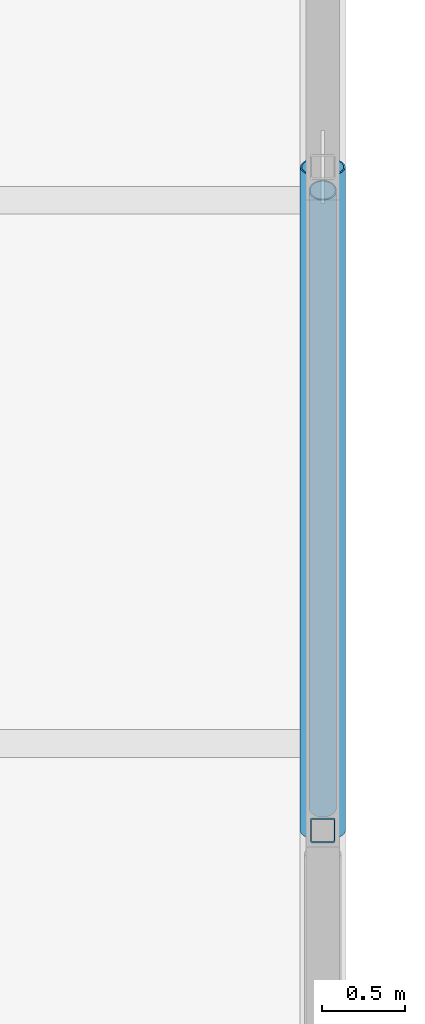
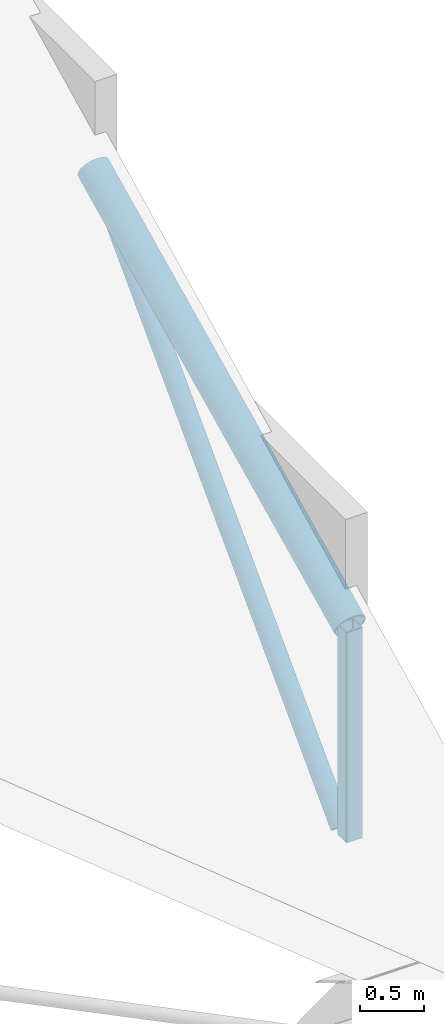
# One storey, part 87 of 137: 3 members.
"""IFC4 building model written with IfcOpenShell, lengths in metres."""

from ifc_helpers import new_model, si_unit, direction, frame, origin, origin_2d, place, context, subcontext, project, spatial, hollow_rectangle, hollow_circle, extrude, material, material_profile, profile_set, type_object, element, save


model = new_model("IFC4")

# Units and contexts
model_context = context("Model", 3, precision=1e-05, world=origin(), true_north=direction((0.0, 1.0)))
body_context = subcontext(model_context, "Body", "Model", "MODEL_VIEW")
ifc_project = project(units=[si_unit("LENGTHUNIT", "METRE"), si_unit("AREAUNIT", "SQUARE_METRE"), si_unit("VOLUMEUNIT", "CUBIC_METRE"), si_unit("PLANEANGLEUNIT", "RADIAN"), si_unit("MASSUNIT", "GRAM", prefix="KILO")], contexts=[model_context])

# Site, building, storey
site_placement = place(None, origin())
site = spatial("IfcSite", under=ifc_project, at=site_placement, CompositionType="ELEMENT")
building_placement = place(site_placement, origin())
building = spatial("IfcBuilding", under=site, at=building_placement, Name="Jelvoka-Kovrelna Polytechnic", CompositionType="ELEMENT")
storey_placement = place(building_placement, frame((0.0, 0.0, 9.60009765625)))
storey = spatial("IfcBuildingStorey", under=building, at=storey_placement, Name="L03", CompositionType="ELEMENT", Elevation=9.60009765625)

# Members
ifc_material_1 = material(Name="Structural steel S355J2H", Category="steel")
ifc_material_profile_1 = material_profile(ifc_material_1, hollow_circle(Radius=0.084228515625, WallThickness=0.008056640625, at=origin_2d()), Name="168.3x8.0 CHS")
ifc_profile_set_1 = profile_set([ifc_material_profile_1], Name="Structural steel S355J2H")
member_type_1 = type_object("IfcMemberType", Name="Member_Brace_CHS168", PredefinedType="BRACE", material=ifc_profile_set_1)
member_1_placement = place(storey_placement, frame((200.0, 108.139892578125, 0.14990234375), z_axis=(0.0, 0.69521468222, 0.718802160282), x_axis=(-1.0, 0.0, 0.0)))
element("IfcMember", 1, at=member_1_placement, inside=storey, type_object=member_type_1, Name="Sawtooth truss 8 diagonal web 2.2", PredefinedType="BRACE", context=body_context, shape_type="SweptSolid", body=[
    extrude(hollow_circle(Radius=0.084228515625, WallThickness=0.008056640625, at=origin_2d()), origin(), (0.0, 0.0, 1.0), 5.35107421875),
])
ifc_material_2 = material(Name="Structural steel S355J2H", Category="steel")
ifc_material_profile_2 = material_profile(ifc_material_2, hollow_circle(Radius=0.136474609375, WallThickness=0.010009765625, at=origin_2d()), Name="273.0x10.0 CHS")
ifc_profile_set_2 = profile_set([ifc_material_profile_2], Name="Structural steel S355J2H")
member_type_2 = type_object("IfcMemberType", Name="Member_Chord_CHS273", PredefinedType="CHORD", material=ifc_profile_set_2)
member_2_placement = place(storey_placement, frame((200.0, 108.0, 2.148193359375), z_axis=(0.0, 0.900799405566, 0.434235455637), x_axis=(-1.0, 0.0, 0.0)))
element("IfcMember", 2, at=member_2_placement, inside=storey, type_object=member_type_2, Name="Sawtooth truss 8 top chord 2.2", PredefinedType="CHORD", context=body_context, shape_type="SweptSolid", body=[
    extrude(hollow_circle(Radius=0.136474609375, WallThickness=0.010009765625, at=origin_2d()), origin(), (0.0, 0.0, 1.0), 4.4404296875),
])
ifc_material_3 = material(Name="Structural steel S355J2H", Category="steel")
ifc_material_profile_3 = material_profile(ifc_material_3, hollow_rectangle(XDim=0.14990234375, YDim=0.14990234375, WallThickness=0.008056640625, InnerFilletRadius=0.008056640625, OuterFilletRadius=0.011962890625, at=origin_2d()), Name="150x150x8.0 SHS")
ifc_profile_set_3 = profile_set([ifc_material_profile_3], Name="Structural steel S355J2H")
member_type_3 = type_object("IfcMemberType", Name="Member_Post_SHS150", PredefinedType="POST", material=ifc_profile_set_3)
member_3_placement = place(storey_placement, frame((200.0, 108.0, 0.14990234375), z_axis=(0.0, 0.0, 1.0), x_axis=(1.0, 0.0, 0.0)))
element("IfcMember", 3, at=member_3_placement, inside=storey, type_object=member_type_3, Name="Sawtooth truss 8 web post 2.2", PredefinedType="POST", context=body_context, shape_type="SweptSolid", body=[
    extrude(hollow_rectangle(XDim=0.14990234375, YDim=0.14990234375, WallThickness=0.008056640625, InnerFilletRadius=0.008056640625, OuterFilletRadius=0.011962890625, at=origin_2d()), origin(), (0.0, 0.0, 1.0), 1.998291015625),
])

save(model, "model.ifc")
